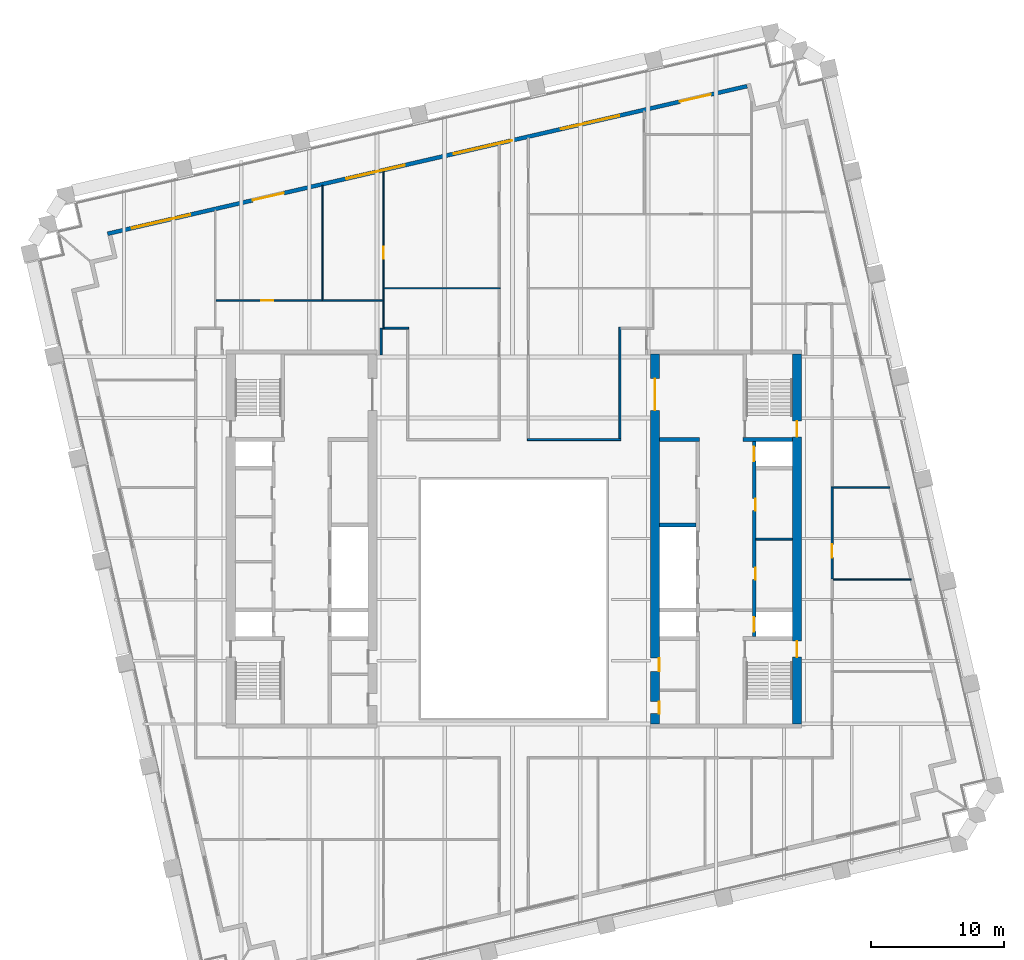
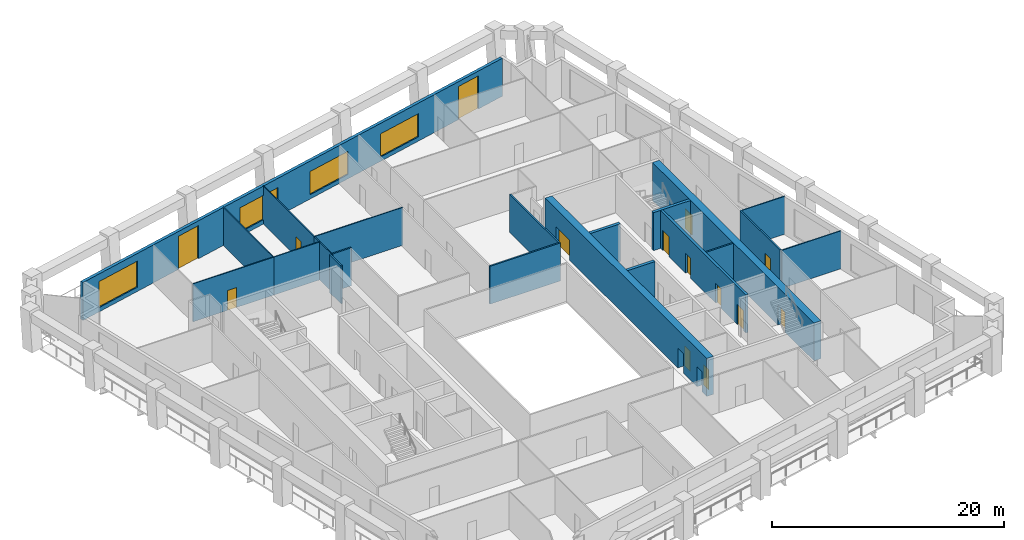
# One storey, part 7 of 11: 22 walls, 14 doors, 4 windows, 18 openings.
"""IFC4 building model written with IfcOpenShell, lengths in metres."""

from ifc_helpers import new_model, si_unit, direction, frame, frame_2d, origin, place, context, subcontext, project, spatial, rectangle, extrude, material, layer, layer_set, type_object, element, fill, save


model = new_model("IFC4")

# Units and contexts
model_context = context("Model", 3, precision=1e-05, world=origin(), true_north=direction((0.0, 1.0)))
body_context = subcontext(model_context, "Body", "Model", "MODEL_VIEW")
ifc_project = project(units=[si_unit("LENGTHUNIT", "METRE"), si_unit("AREAUNIT", "SQUARE_METRE"), si_unit("VOLUMEUNIT", "CUBIC_METRE"), si_unit("PLANEANGLEUNIT", "RADIAN"), si_unit("MASSUNIT", "GRAM", prefix="KILO")], contexts=[model_context])

# Site, building, storey
site_placement = place(None, origin())
site = spatial("IfcSite", under=ifc_project, at=site_placement, CompositionType="ELEMENT")
building_placement = place(site_placement, origin())
building = spatial("IfcBuilding", under=site, at=building_placement, Name="Ogive Exchange Tower", CompositionType="ELEMENT")
storey_placement = place(building_placement, frame((0.0, 0.0, 175.800048828125)))
storey = spatial("IfcBuildingStorey", under=building, at=storey_placement, Name="L38", CompositionType="ELEMENT", Elevation=175.800048828125)

# Walls
ifc_material_1 = material(Name="Gypsum board partition")
ifc_layer_1 = layer(ifc_material_1, 0.14990234375)
ifc_layer_set_1 = layer_set([ifc_layer_1], Name="Core room partition 150 gypsum")
wall_type_1 = type_object("IfcWallType", Name="Core room partition 150 gypsum", PredefinedType="PARTITIONING", material=ifc_layer_set_1)
wall_1_placement = place(storey_placement, frame((18.25, 11.5, 0.0), z_axis=(0.0, 0.0, 1.0), x_axis=(1.0, 0.0, 0.0)))
element("IfcWall", 1, at=wall_1_placement, inside=storey, type_object=wall_type_1, Name="E row A bay partition 1-1", PredefinedType="PARTITIONING", context=body_context, shape_type="SweptSolid", body=[
    extrude(rectangle(XDim=2.75, YDim=0.14990234375, at=frame_2d((1.375, 0.0))), origin(), (0.0, 0.0, 1.0), 4.0),
])
ifc_layer_2 = layer(ifc_material_1, 0.300048828125)
ifc_layer_set_2 = layer_set([ifc_layer_2], Name="Core room partition 300 gypsum")
wall_type_2 = type_object("IfcWallType", Name="Core room partition 300 gypsum", PredefinedType="PARTITIONING", material=ifc_layer_set_2)
wall_2_placement = place(storey_placement, frame((11.0, 19.0, 0.0), z_axis=(0.0, 0.0, 1.0), x_axis=(1.0, 0.0, 0.0)))
element("IfcWall", 2, at=wall_2_placement, inside=storey, type_object=wall_type_2, Name="E row B room end wall 7", PredefinedType="PARTITIONING", context=body_context, shape_type="SweptSolid", body=[
    extrude(rectangle(XDim=3.0, YDim=0.300048828125, at=frame_2d((1.5, 0.0))), origin(), (0.0, 0.0, 1.0), 4.0),
])
ifc_material_2 = material(Name="Fire partition EI 60 150")
ifc_layer_3 = layer(ifc_material_2, 0.14990234375)
ifc_layer_set_3 = layer_set([ifc_layer_3], Name="Fire partition EI 60 150")
wall_type_3 = type_object("IfcWallType", Name="Fire partition EI 60 150", PredefinedType="PARTITIONING", material=ifc_layer_set_3)
wall_3_placement = place(storey_placement, frame((-10.0, 25.39990234375, 0.0), z_axis=(0.0, 0.0, 1.0), x_axis=(0.0, 1.0, 0.0)))
element("IfcWall", 3, at=wall_3_placement, inside=storey, type_object=wall_type_3, Name="L38-PWL-019", PredefinedType="PARTITIONING", context=body_context, shape_type="SweptSolid", body=[
    extrude(rectangle(XDim=2.0, YDim=0.14990234375, at=frame_2d((1.0, 0.0))), origin(), (0.0, 0.0, 1.0), 4.0),
])
wall_4_placement = place(storey_placement, frame((-9.780029296875, 27.39990234375, 0.0), z_axis=(0.0, 0.0, 1.0), x_axis=(1.0, 0.0, 0.0)))
element("IfcWall", 4, at=wall_4_placement, inside=storey, type_object=wall_type_3, Name="L38-PWL-025", PredefinedType="PARTITIONING", context=body_context, shape_type="SweptSolid", body=[
    extrude(rectangle(XDim=1.85498046875, YDim=0.14990234375, at=frame_2d((0.927490234375, 0.0))), origin(), (0.0, 0.0, 1.0), 4.0),
])
wall_5_placement = place(storey_placement, frame((1.02490234375, 19.0, 0.0), z_axis=(0.0, 0.0, 1.0), x_axis=(1.0, 0.0, 0.0)))
element("IfcWall", 5, at=wall_5_placement, inside=storey, type_object=wall_type_3, Name="L38-PWL-037", PredefinedType="PARTITIONING", context=body_context, shape_type="SweptSolid", body=[
    extrude(rectangle(XDim=7.050048828125, YDim=0.14990234375, at=frame_2d((3.52490234375, 0.0))), origin(), (0.0, 0.0, 1.0), 4.0),
])
wall_6_placement = place(storey_placement, frame((8.0, 19.074951171875, 0.0), z_axis=(0.0, 0.0, 1.0), x_axis=(0.0, 1.0, 0.0)))
element("IfcWall", 6, at=wall_6_placement, inside=storey, type_object=wall_type_3, Name="L38-PWL-045", PredefinedType="PARTITIONING", context=body_context, shape_type="SweptSolid", body=[
    extrude(rectangle(XDim=8.400146484375, YDim=0.14990234375, at=frame_2d((4.2001953125, 0.0))), origin(), (0.0, 0.0, 1.0), 4.0),
])

# Wall, opening, door
wall_7_placement = place(storey_placement, frame((24.0, 15.429931640625, 0.0), z_axis=(0.0, 0.0, 1.0), x_axis=(0.0, -1.0, 0.0)))
wall_7 = element("IfcWall", 7, at=wall_7_placement, inside=storey, type_object=wall_type_3, Name="L38-PWL-079", PredefinedType="PARTITIONING", context=body_context, shape_type="SweptSolid", body=[
    extrude(rectangle(XDim=6.929931640625, YDim=0.14990234375, at=frame_2d((3.46484375, 0.0))), origin(), (0.0, 0.0, 1.0), 4.0),
])
opening_1_placement = place(wall_7_placement, frame((4.330078125, 0.0, 0.0)))
opening_1 = element("IfcOpeningElement", 8, at=opening_1_placement, cuts=wall_7, Name="Opening L38-I21", PredefinedType="OPENING", context=body_context, shape_type="SweptSolid", body=[
    extrude(rectangle(XDim=1.0, YDim=2.10009765625, at=frame_2d((0.5, 1.050048828125))), frame((0.0, 0.0849609375, 0.0), z_axis=(0.0, -1.0, 0.0), x_axis=(1.0, 0.0, 0.0)), (0.0, 0.0, 1.0), 0.169921875),
])
ifc_material_3 = material(Name="Fire door FD 30S 1000 x 2100")
door_type_1 = type_object("IfcDoorType", Name="Fire door FD 30S 1000 x 2100", OperationType="NOTDEFINED", PredefinedType="DOOR", material=ifc_material_3)
door_1_placement = place(opening_1_placement, origin())
door_1 = element("IfcDoor", 9, at=door_1_placement, inside=storey, type_object=door_type_1, Name="L38-IDR-021", ObjectType="DT3", OperationType="SINGLE_SWING_LEFT", OverallHeight=2.10009765625, OverallWidth=1.0, PredefinedType="DOOR", context=body_context, shape_type="SweptSolid", body=[
    extrude(rectangle(XDim=1.0, YDim=2.10009765625, at=frame_2d((0.5, 1.050048828125))), frame((0.0, 0.02490234375, 0.0), z_axis=(0.0, -1.0, 0.0), x_axis=(1.0, 0.0, 0.0)), (0.0, 0.0, 1.0), 0.050048828125),
])
fill(opening_1, door_1)

# Wall, openings, doors, windows
ifc_material_4 = material(Name="Precast concrete C40/50", Category="concrete")
ifc_layer_4 = layer(ifc_material_4, 0.300048828125)
ifc_layer_set_4 = layer_set([ifc_layer_4], Name="Limestone-faced wall 300")
wall_type_4 = type_object("IfcWallType", Name="Limestone-faced wall 300", PredefinedType="STANDARD", material=ifc_layer_set_4)
wall_8_placement = place(storey_placement, frame((17.592041015625, 45.6572265625, 0.0), z_axis=(0.0, 0.0, 1.0), x_axis=(-0.974370243697, -0.224950279389, 0.0)))
wall_8 = element("IfcWall", 10, at=wall_8_placement, inside=storey, type_object=wall_type_4, Name="External wall N3", PredefinedType="STANDARD", context=body_context, shape_type="SweptSolid", body=[
    extrude(rectangle(XDim=49.499755859375, YDim=0.300048828125, at=frame_2d((24.75, 0.0))), origin(), (0.0, 0.0, 1.0), 4.0),
])
opening_2_placement = place(wall_8_placement, frame((2.800048828125, 0.0, 0.0)))
opening_2 = element("IfcOpeningElement", 11, at=opening_2_placement, cuts=wall_8, Name="Opening D1", PredefinedType="OPENING", context=body_context, shape_type="SweptSolid", body=[
    extrude(rectangle(XDim=2.39990234375, YDim=3.5, at=frame_2d((1.199951171875, 1.75))), frame((0.0, 0.159912109375, 0.0), z_axis=(0.0, -1.0, 0.0), x_axis=(1.0, 0.0, 0.0)), (0.0, 0.0, 1.0), 0.320068359375),
])
opening_3_placement = place(wall_8_placement, frame((9.89990234375, 0.0, 0.449951171875)))
opening_3 = element("IfcOpeningElement", 12, at=opening_3_placement, cuts=wall_8, Name="Opening W1Q", PredefinedType="OPENING", context=body_context, shape_type="SweptSolid", body=[
    extrude(rectangle(XDim=4.5, YDim=2.449951171875, at=frame_2d((2.25, 1.22509765625))), frame((0.0, 0.159912109375, 0.0), z_axis=(0.0, -1.0, 0.0), x_axis=(1.0, 0.0, 0.0)), (0.0, 0.0, 1.0), 0.320068359375),
])
opening_4_placement = place(wall_8_placement, frame((18.199951171875, 0.0, 0.449951171875)))
opening_4 = element("IfcOpeningElement", 13, at=opening_4_placement, cuts=wall_8, Name="Opening W1Q", PredefinedType="OPENING", context=body_context, shape_type="SweptSolid", body=[
    extrude(rectangle(XDim=4.5, YDim=2.449951171875, at=frame_2d((2.25, 1.22509765625))), frame((0.0, 0.159912109375, 0.0), z_axis=(0.0, -1.0, 0.0), x_axis=(1.0, 0.0, 0.0)), (0.0, 0.0, 1.0), 0.320068359375),
])
opening_5_placement = place(wall_8_placement, frame((26.5, 0.0, 0.449951171875)))
opening_5 = element("IfcOpeningElement", 14, at=opening_5_placement, cuts=wall_8, Name="Opening W1M", PredefinedType="OPENING", context=body_context, shape_type="SweptSolid", body=[
    extrude(rectangle(XDim=4.5, YDim=2.574951171875, at=frame_2d((2.25, 1.28759765625))), frame((0.0, 0.159912109375, 0.0), z_axis=(0.0, -1.0, 0.0), x_axis=(1.0, 0.0, 0.0)), (0.0, 0.0, 1.0), 0.320068359375),
])
opening_6_placement = place(wall_8_placement, frame((35.85009765625, 0.0, 0.0)))
opening_6 = element("IfcOpeningElement", 15, at=opening_6_placement, cuts=wall_8, Name="Opening D1", PredefinedType="OPENING", context=body_context, shape_type="SweptSolid", body=[
    extrude(rectangle(XDim=2.39990234375, YDim=3.5, at=frame_2d((1.199951171875, 1.75))), frame((0.0, 0.159912109375, 0.0), z_axis=(0.0, -1.0, 0.0), x_axis=(1.0, 0.0, 0.0)), (0.0, 0.0, 1.0), 0.320068359375),
])
opening_7_placement = place(wall_8_placement, frame((43.10009765625, 0.0, 0.449951171875)))
opening_7 = element("IfcOpeningElement", 16, at=opening_7_placement, cuts=wall_8, Name="Opening W1H", PredefinedType="OPENING", context=body_context, shape_type="SweptSolid", body=[
    extrude(rectangle(XDim=4.5, YDim=2.75, at=frame_2d((2.25, 1.375))), frame((0.0, 0.159912109375, 0.0), z_axis=(0.0, -1.0, 0.0), x_axis=(1.0, 0.0, 0.0)), (0.0, 0.0, 1.0), 0.320068359375),
])
ifc_material_5 = material(Name="Clear glass in bronze frame", Category="glass")
door_type_2 = type_object("IfcDoorType", Name="Sliding loggia door 2400 x 3500", OperationType="DOUBLE_DOOR_SLIDING", PredefinedType="DOOR", material=ifc_material_5)
door_2_placement = place(opening_2_placement, origin())
door_2 = element("IfcDoor", 17, at=door_2_placement, inside=storey, type_object=door_type_2, Name="Loggia door N00", OperationType="DOUBLE_DOOR_SLIDING", OverallHeight=3.5, OverallWidth=2.39990234375, PredefinedType="DOOR", context=body_context, shape_type="SweptSolid", body=[
    extrude(rectangle(XDim=2.39990234375, YDim=3.5, at=frame_2d((1.199951171875, 1.75))), frame((0.0, 0.02490234375, 0.0), z_axis=(0.0, -1.0, 0.0), x_axis=(1.0, 0.0, 0.0)), (0.0, 0.0, 1.0), 0.050048828125),
])
fill(opening_2, door_2)
door_3_placement = place(opening_6_placement, origin())
door_3 = element("IfcDoor", 18, at=door_3_placement, inside=storey, type_object=door_type_2, Name="Loggia door N04", OperationType="DOUBLE_DOOR_SLIDING", OverallHeight=3.5, OverallWidth=2.39990234375, PredefinedType="DOOR", context=body_context, shape_type="SweptSolid", body=[
    extrude(rectangle(XDim=2.39990234375, YDim=3.5, at=frame_2d((1.199951171875, 1.75))), frame((0.0, 0.02490234375, 0.0), z_axis=(0.0, -1.0, 0.0), x_axis=(1.0, 0.0, 0.0)), (0.0, 0.0, 1.0), 0.050048828125),
])
fill(opening_6, door_3)
window_type_1 = type_object("IfcWindowType", Name="Twin lancet window 4500 x 2450", PartitioningType="DOUBLE_PANEL_VERTICAL", PredefinedType="WINDOW", material=ifc_material_5)
window_1_placement = place(opening_3_placement, origin())
window_1 = element("IfcWindow", 19, at=window_1_placement, inside=storey, type_object=window_type_1, Name="Window N01", OverallHeight=2.449951171875, OverallWidth=4.5, PartitioningType="DOUBLE_PANEL_VERTICAL", PredefinedType="WINDOW", context=body_context, shape_type="SweptSolid", body=[
    extrude(rectangle(XDim=4.5, YDim=2.449951171875, at=frame_2d((2.25, 1.22509765625))), frame((0.0, 0.030029296875, 0.0), z_axis=(0.0, -1.0, 0.0), x_axis=(1.0, 0.0, 0.0)), (0.0, 0.0, 1.0), 0.06005859375),
])
fill(opening_3, window_1)
window_2_placement = place(opening_4_placement, origin())
window_2 = element("IfcWindow", 20, at=window_2_placement, inside=storey, type_object=window_type_1, Name="Window N02", OverallHeight=2.449951171875, OverallWidth=4.5, PartitioningType="DOUBLE_PANEL_VERTICAL", PredefinedType="WINDOW", context=body_context, shape_type="SweptSolid", body=[
    extrude(rectangle(XDim=4.5, YDim=2.449951171875, at=frame_2d((2.25, 1.22509765625))), frame((0.0, 0.030029296875, 0.0), z_axis=(0.0, -1.0, 0.0), x_axis=(1.0, 0.0, 0.0)), (0.0, 0.0, 1.0), 0.06005859375),
])
fill(opening_4, window_2)
window_type_2 = type_object("IfcWindowType", Name="Twin lancet window 4500 x 2575", PartitioningType="DOUBLE_PANEL_VERTICAL", PredefinedType="WINDOW", material=ifc_material_5)
window_3_placement = place(opening_5_placement, origin())
window_3 = element("IfcWindow", 21, at=window_3_placement, inside=storey, type_object=window_type_2, Name="Window N03", OverallHeight=2.574951171875, OverallWidth=4.5, PartitioningType="DOUBLE_PANEL_VERTICAL", PredefinedType="WINDOW", context=body_context, shape_type="SweptSolid", body=[
    extrude(rectangle(XDim=4.5, YDim=2.574951171875, at=frame_2d((2.25, 1.28759765625))), frame((0.0, 0.030029296875, 0.0), z_axis=(0.0, -1.0, 0.0), x_axis=(1.0, 0.0, 0.0)), (0.0, 0.0, 1.0), 0.06005859375),
])
fill(opening_5, window_3)
window_type_3 = type_object("IfcWindowType", Name="Twin lancet window 4500 x 2750", PartitioningType="DOUBLE_PANEL_VERTICAL", PredefinedType="WINDOW", material=ifc_material_5)
window_4_placement = place(opening_7_placement, origin())
window_4 = element("IfcWindow", 22, at=window_4_placement, inside=storey, type_object=window_type_3, Name="Window N05", OverallHeight=2.75, OverallWidth=4.5, PartitioningType="DOUBLE_PANEL_VERTICAL", PredefinedType="WINDOW", context=body_context, shape_type="SweptSolid", body=[
    extrude(rectangle(XDim=4.5, YDim=2.75, at=frame_2d((2.25, 1.375))), frame((0.0, 0.030029296875, 0.0), z_axis=(0.0, -1.0, 0.0), x_axis=(1.0, 0.0, 0.0)), (0.0, 0.0, 1.0), 0.06005859375),
])
fill(opening_7, window_4)

# Wall, opening, door
ifc_material_6 = material(Name="Partition 100 gypsum")
ifc_layer_5 = layer(ifc_material_6, 0.10009765625)
ifc_layer_set_5 = layer_set([ifc_layer_5], Name="Partition 100 gypsum")
wall_type_5 = type_object("IfcWallType", Name="Partition 100 gypsum", PredefinedType="PARTITIONING", material=ifc_layer_set_5)
wall_9_placement = place(storey_placement, frame((-22.469970703125, 29.5, 0.0), z_axis=(0.0, 0.0, 1.0), x_axis=(1.0, 0.0, 0.0)))
wall_9 = element("IfcWall", 23, at=wall_9_placement, inside=storey, type_object=wall_type_5, Name="L38-PWL-012", PredefinedType="PARTITIONING", context=body_context, shape_type="SweptSolid", body=[
    extrude(rectangle(XDim=8.090087890625, YDim=0.10009765625, at=frame_2d((4.044921875, 0.0))), origin(), (0.0, 0.0, 1.0), 4.0),
])
opening_8_placement = place(wall_9_placement, frame((3.43994140625, 0.0, 0.0)))
opening_8 = element("IfcOpeningElement", 24, at=opening_8_placement, cuts=wall_9, Name="Opening L38-I07", PredefinedType="OPENING", context=body_context, shape_type="SweptSolid", body=[
    extrude(rectangle(XDim=0.89990234375, YDim=2.10009765625, at=frame_2d((0.449951171875, 1.050048828125))), frame((0.0, 0.06005859375, 0.0), z_axis=(0.0, -1.0, 0.0), x_axis=(1.0, 0.0, 0.0)), (0.0, 0.0, 1.0), 0.1201171875),
])
ifc_material_7 = material(Name="Door 900 x 2100")
door_type_3 = type_object("IfcDoorType", Name="Door 900 x 2100", OperationType="NOTDEFINED", PredefinedType="DOOR", material=ifc_material_7)
door_4_placement = place(opening_8_placement, frame((0.89990234375, 0.0, 0.0), z_axis=(0.0, 0.0, 1.0), x_axis=(-1.0, 0.0, 0.0)))
door_4 = element("IfcDoor", 25, at=door_4_placement, inside=storey, type_object=door_type_3, Name="L38-IDR-007", ObjectType="DT1", OperationType="SINGLE_SWING_LEFT", OverallHeight=2.10009765625, OverallWidth=0.89990234375, PredefinedType="DOOR", context=body_context, shape_type="SweptSolid", body=[
    extrude(rectangle(XDim=0.89990234375, YDim=2.10009765625, at=frame_2d((0.449951171875, 1.050048828125))), frame((0.0, 0.02490234375, 0.0), z_axis=(0.0, -1.0, 0.0), x_axis=(1.0, 0.0, 0.0)), (0.0, 0.0, 1.0), 0.050048828125),
])
fill(opening_8, door_4)

# Walls
wall_10_placement = place(storey_placement, frame((-14.429931640625, 29.550048828125, 0.0), z_axis=(0.0, 0.0, 1.0), x_axis=(0.0, 1.0, 0.0)))
element("IfcWall", 26, at=wall_10_placement, inside=storey, type_object=wall_type_5, Name="L38-PWL-016", PredefinedType="PARTITIONING", context=body_context, shape_type="SweptSolid", body=[
    extrude(rectangle(XDim=8.64306640625, YDim=0.10009765625, at=frame_2d((4.321533203125, 0.0))), origin(), (0.0, 0.0, 1.0), 4.0),
])
wall_11_placement = place(storey_placement, frame((-14.429931640625, 29.5, 0.0), z_axis=(0.0, 0.0, 1.0), x_axis=(1.0, 0.0, 0.0)))
element("IfcWall", 27, at=wall_11_placement, inside=storey, type_object=wall_type_5, Name="L38-PWL-017", PredefinedType="PARTITIONING", context=body_context, shape_type="SweptSolid", body=[
    extrude(rectangle(XDim=4.64990234375, YDim=0.10009765625, at=frame_2d((2.324951171875, 0.0))), origin(), (0.0, 0.0, 1.0), 4.0),
])
wall_12_placement = place(storey_placement, frame((-9.830078125, 27.324951171875, 0.0), z_axis=(0.0, 0.0, 1.0), x_axis=(0.0, 1.0, 0.0)))
element("IfcWall", 28, at=wall_12_placement, inside=storey, type_object=wall_type_5, Name="L38-PWL-024", PredefinedType="PARTITIONING", context=body_context, shape_type="SweptSolid", body=[
    extrude(rectangle(XDim=2.125, YDim=0.10009765625, at=frame_2d((1.0625, 0.0))), origin(), (0.0, 0.0, 1.0), 4.0),
])
wall_13_placement = place(storey_placement, frame((-9.830078125, 29.550048828125, 0.0), z_axis=(0.0, 0.0, 1.0), x_axis=(0.0, 1.0, 0.0)))
element("IfcWall", 29, at=wall_13_placement, inside=storey, type_object=wall_type_5, Name="L38-PWL-026", PredefinedType="PARTITIONING", context=body_context, shape_type="SweptSolid", body=[
    extrude(rectangle(XDim=0.820068359375, YDim=0.10009765625, at=frame_2d((0.41015625, 0.0))), origin(), (0.0, 0.0, 1.0), 4.0),
])

# Wall, opening, door
wall_14_placement = place(storey_placement, frame((-9.830078125, 30.3701171875, 0.0), z_axis=(0.0, 0.0, 1.0), x_axis=(0.0, 1.0, 0.0)))
wall_14 = element("IfcWall", 30, at=wall_14_placement, inside=storey, type_object=wall_type_5, Name="L38-PWL-027", PredefinedType="PARTITIONING", context=body_context, shape_type="SweptSolid", body=[
    extrude(rectangle(XDim=8.884765625, YDim=0.10009765625, at=frame_2d((4.4423828125, 0.0))), origin(), (0.0, 0.0, 1.0), 4.0),
])
opening_9_placement = place(wall_14_placement, frame((2.260009765625, 0.0, 0.0)))
opening_9 = element("IfcOpeningElement", 31, at=opening_9_placement, cuts=wall_14, Name="Opening L38-I06", PredefinedType="OPENING", context=body_context, shape_type="SweptSolid", body=[
    extrude(rectangle(XDim=0.89990234375, YDim=2.10009765625, at=frame_2d((0.449951171875, 1.050048828125))), frame((0.0, 0.06005859375, 0.0), z_axis=(0.0, -1.0, 0.0), x_axis=(1.0, 0.0, 0.0)), (0.0, 0.0, 1.0), 0.1201171875),
])
door_5_placement = place(opening_9_placement, origin())
door_5 = element("IfcDoor", 32, at=door_5_placement, inside=storey, type_object=door_type_3, Name="L38-IDR-006", ObjectType="DT1", OperationType="SINGLE_SWING_RIGHT", OverallHeight=2.10009765625, OverallWidth=0.89990234375, PredefinedType="DOOR", context=body_context, shape_type="SweptSolid", body=[
    extrude(rectangle(XDim=0.89990234375, YDim=2.10009765625, at=frame_2d((0.449951171875, 1.050048828125))), frame((0.0, 0.02490234375, 0.0), z_axis=(0.0, -1.0, 0.0), x_axis=(1.0, 0.0, 0.0)), (0.0, 0.0, 1.0), 0.050048828125),
])
fill(opening_9, door_5)

# Walls
wall_15_placement = place(storey_placement, frame((-9.780029296875, 30.419921875, 0.0), z_axis=(0.0, 0.0, 1.0), x_axis=(1.0, 0.0, 0.0)))
element("IfcWall", 33, at=wall_15_placement, inside=storey, type_object=wall_type_5, Name="L38-PWL-028", PredefinedType="PARTITIONING", context=body_context, shape_type="SweptSolid", body=[
    extrude(rectangle(XDim=8.755126953125, YDim=0.10009765625, at=frame_2d((4.37744140625, 0.0))), origin(), (0.0, 0.0, 1.0), 4.0),
])
wall_16_placement = place(storey_placement, frame((24.074951171875, 8.449951171875, 0.0), z_axis=(0.0, 0.0, 1.0), x_axis=(1.0, 0.0, 0.0)))
element("IfcWall", 34, at=wall_16_placement, inside=storey, type_object=wall_type_5, Name="L38-PWL-078", PredefinedType="PARTITIONING", context=body_context, shape_type="SweptSolid", body=[
    extrude(rectangle(XDim=5.884033203125, YDim=0.10009765625, at=frame_2d((2.94189453125, 0.0))), origin(), (0.0, 0.0, 1.0), 4.0),
])
wall_17_placement = place(storey_placement, frame((24.074951171875, 15.3798828125, 0.0), z_axis=(0.0, 0.0, 1.0), x_axis=(1.0, 0.0, 0.0)))
element("IfcWall", 35, at=wall_17_placement, inside=storey, type_object=wall_type_5, Name="L38-PWL-080", PredefinedType="PARTITIONING", context=body_context, shape_type="SweptSolid", body=[
    extrude(rectangle(XDim=4.28515625, YDim=0.10009765625, at=frame_2d((2.142578125, 0.0))), origin(), (0.0, 0.0, 1.0), 4.0),
])

# Wall, openings, doors
ifc_material_8 = material(Name="Concrete C70/85", Category="concrete")
ifc_layer_6 = layer(ifc_material_8, 0.25)
ifc_layer_set_6 = layer_set([ifc_layer_6], Name="RC core wall 250 C70/85")
wall_type_6 = type_object("IfcWallType", Name="RC core wall 250 C70/85", PredefinedType="SHEAR", material=ifc_layer_set_6)
wall_18_placement = place(storey_placement, frame((18.125, 4.14990234375, 0.0), z_axis=(0.0, 0.0, 1.0), x_axis=(0.0, 1.0, 0.0)))
wall_18 = element("IfcWall", 36, at=wall_18_placement, inside=storey, type_object=wall_type_6, Name="E row A front wall", PredefinedType="SHEAR", context=body_context, shape_type="SweptSolid", body=[
    extrude(rectangle(XDim=14.7001953125, YDim=0.25, at=frame_2d((7.35009765625, 0.0))), origin(), (0.0, 0.0, 1.0), 4.0),
])
opening_10_placement = place(wall_18_placement, frame((4.29638671875, 0.0, 0.0)))
opening_10 = element("IfcOpeningElement", 37, at=opening_10_placement, cuts=wall_18, Name="Opening L38-C19", PredefinedType="OPENING", context=body_context, shape_type="SweptSolid", body=[
    extrude(rectangle(XDim=0.89990234375, YDim=2.10009765625, at=frame_2d((0.449951171875, 1.050048828125))), frame((0.0, 0.135009765625, 0.0), z_axis=(0.0, -1.0, 0.0), x_axis=(1.0, 0.0, 0.0)), (0.0, 0.0, 1.0), 0.27001953125),
])
opening_11_placement = place(wall_18_placement, frame((9.503662109375, 0.0, 0.0)))
opening_11 = element("IfcOpeningElement", 38, at=opening_11_placement, cuts=wall_18, Name="Opening L38-C20", PredefinedType="OPENING", context=body_context, shape_type="SweptSolid", body=[
    extrude(rectangle(XDim=0.89990234375, YDim=2.10009765625, at=frame_2d((0.449951171875, 1.050048828125))), frame((0.0, 0.135009765625, 0.0), z_axis=(0.0, -1.0, 0.0), x_axis=(1.0, 0.0, 0.0)), (0.0, 0.0, 1.0), 0.27001953125),
])
opening_12_placement = place(wall_18_placement, frame((0.371337890625, 0.0, 0.0)))
opening_12 = element("IfcOpeningElement", 39, at=opening_12_placement, cuts=wall_18, Name="Opening L38-C21", PredefinedType="OPENING", context=body_context, shape_type="SweptSolid", body=[
    extrude(rectangle(XDim=1.10009765625, YDim=2.10009765625, at=frame_2d((0.550048828125, 1.050048828125))), frame((0.0, 0.135009765625, 0.0), z_axis=(0.0, -1.0, 0.0), x_axis=(1.0, 0.0, 0.0)), (0.0, 0.0, 1.0), 0.27001953125),
])
opening_13_placement = place(wall_18_placement, frame((13.228515625, 0.0, 0.0)))
opening_13 = element("IfcOpeningElement", 40, at=opening_13_placement, cuts=wall_18, Name="Opening L38-C22", PredefinedType="OPENING", context=body_context, shape_type="SweptSolid", body=[
    extrude(rectangle(XDim=1.10009765625, YDim=2.10009765625, at=frame_2d((0.550048828125, 1.050048828125))), frame((0.0, 0.135009765625, 0.0), z_axis=(0.0, -1.0, 0.0), x_axis=(1.0, 0.0, 0.0)), (0.0, 0.0, 1.0), 0.27001953125),
])
ifc_material_9 = material(Name="Stainless steel", Category="steel")
door_type_4 = type_object("IfcDoorType", Name="Lift landing door FD90 1100 x 2100", OperationType="SLIDING_TO_LEFT", PredefinedType="DOOR", material=ifc_material_9)
door_6_placement = place(opening_12_placement, origin())
door_6 = element("IfcDoor", 41, at=door_6_placement, inside=storey, type_object=door_type_4, Name="Lift landing door FF2", ObjectType="LD", OperationType="SLIDING_TO_LEFT", OverallHeight=2.10009765625, OverallWidth=1.10009765625, PredefinedType="DOOR", context=body_context, shape_type="SweptSolid", body=[
    extrude(rectangle(XDim=1.10009765625, YDim=2.10009765625, at=frame_2d((0.550048828125, 1.050048828125))), frame((0.0, 0.02490234375, 0.0), z_axis=(0.0, -1.0, 0.0), x_axis=(1.0, 0.0, 0.0)), (0.0, 0.0, 1.0), 0.050048828125),
])
fill(opening_12, door_6)
door_7_placement = place(opening_13_placement, origin())
door_7 = element("IfcDoor", 42, at=door_7_placement, inside=storey, type_object=door_type_4, Name="Lift landing door E-SH2", ObjectType="LD", OperationType="SLIDING_TO_LEFT", OverallHeight=2.10009765625, OverallWidth=1.10009765625, PredefinedType="DOOR", context=body_context, shape_type="SweptSolid", body=[
    extrude(rectangle(XDim=1.10009765625, YDim=2.10009765625, at=frame_2d((0.550048828125, 1.050048828125))), frame((0.0, 0.02490234375, 0.0), z_axis=(0.0, -1.0, 0.0), x_axis=(1.0, 0.0, 0.0)), (0.0, 0.0, 1.0), 0.050048828125),
])
fill(opening_13, door_7)
ifc_material_10 = material(Name="Steel fire door", Category="steel")
door_type_5 = type_object("IfcDoorType", Name="Riser door FD60 900 x 2100", OperationType="NOTDEFINED", PredefinedType="DOOR", material=ifc_material_10)
door_8_placement = place(opening_10_placement, frame((0.89990234375, -0.2001953125, 0.0), z_axis=(0.0, 0.0, 1.0), x_axis=(-1.0, 0.0, 0.0)))
door_8 = element("IfcDoor", 43, at=door_8_placement, inside=storey, type_object=door_type_5, Name="Riser door", ObjectType="CD2", OperationType="SINGLE_SWING_RIGHT", OverallHeight=2.10009765625, OverallWidth=0.89990234375, PredefinedType="DOOR", context=body_context, shape_type="SweptSolid", body=[
    extrude(rectangle(XDim=0.89990234375, YDim=2.10009765625, at=frame_2d((0.449951171875, 1.050048828125))), frame((0.0, -0.0751953125, 0.0), z_axis=(0.0, -1.0, 0.0), x_axis=(1.0, 0.0, 0.0)), (0.0, 0.0, 1.0), 0.050048828125),
])
fill(opening_10, door_8)
door_9_placement = place(opening_11_placement, frame((0.89990234375, -0.2001953125, 0.0), z_axis=(0.0, 0.0, 1.0), x_axis=(-1.0, 0.0, 0.0)))
door_9 = element("IfcDoor", 44, at=door_9_placement, inside=storey, type_object=door_type_5, Name="Riser door", ObjectType="CD2", OperationType="SINGLE_SWING_LEFT", OverallHeight=2.10009765625, OverallWidth=0.89990234375, PredefinedType="DOOR", context=body_context, shape_type="SweptSolid", body=[
    extrude(rectangle(XDim=0.89990234375, YDim=2.10009765625, at=frame_2d((0.449951171875, 1.050048828125))), frame((0.0, -0.0751953125, 0.0), z_axis=(0.0, -1.0, 0.0), x_axis=(1.0, 0.0, 0.0)), (0.0, 0.0, 1.0), 0.050048828125),
])
fill(opening_11, door_9)

# Walls
ifc_layer_7 = layer(ifc_material_8, 0.300048828125)
ifc_layer_set_7 = layer_set([ifc_layer_7], Name="RC core wall 300 C70/85")
wall_type_7 = type_object("IfcWallType", Name="RC core wall 300 C70/85", PredefinedType="SHEAR", material=ifc_layer_set_7)
wall_19_placement = place(storey_placement, frame((17.300048828125, 19.0, 0.0), z_axis=(0.0, 0.0, 1.0), x_axis=(1.0, 0.0, 0.0)))
element("IfcWall", 45, at=wall_19_placement, inside=storey, type_object=wall_type_7, Name="E stair N south wall", PredefinedType="SHEAR", context=body_context, shape_type="SweptSolid", body=[
    extrude(rectangle(XDim=3.699951171875, YDim=0.300048828125, at=frame_2d((1.85009765625, 0.0))), origin(), (0.0, 0.0, 1.0), 4.0),
])
wall_20_placement = place(storey_placement, frame((11.0, 12.5712890625, 0.0), z_axis=(0.0, 0.0, 1.0), x_axis=(1.0, 0.0, 0.0)))
element("IfcWall", 46, at=wall_20_placement, inside=storey, type_object=wall_type_7, Name="E row B divider 4", PredefinedType="SHEAR", context=body_context, shape_type="SweptSolid", body=[
    extrude(rectangle(XDim=2.75, YDim=0.300048828125, at=frame_2d((1.375, 0.0))), origin(), (0.0, 0.0, 1.0), 4.0),
])

# Wall, openings, doors
ifc_layer_8 = layer(ifc_material_8, 0.699951171875)
ifc_layer_set_8 = layer_set([ifc_layer_8], Name="RC core wall 700 C70/85")
wall_type_8 = type_object("IfcWallType", Name="RC core wall 700 C70/85", PredefinedType="SHEAR", material=ifc_layer_set_8)
wall_21_placement = place(storey_placement, frame((21.35009765625, -2.449951171875, 0.0), z_axis=(0.0, 0.0, 1.0), x_axis=(0.0, 1.0, 0.0)))
wall_21 = element("IfcWall", 47, at=wall_21_placement, inside=storey, type_object=wall_type_8, Name="E outer wall", PredefinedType="SHEAR", context=body_context, shape_type="SweptSolid", body=[
    extrude(rectangle(XDim=27.89990234375, YDim=0.699951171875, at=frame_2d((13.949951171875, 0.0))), origin(), (0.0, 0.0, 1.0), 4.0),
])
opening_14_placement = place(wall_21_placement, frame((5.050048828125, 0.0, 0.0)))
opening_14 = element("IfcOpeningElement", 48, at=opening_14_placement, cuts=wall_21, Name="Opening L38-C31", PredefinedType="OPENING", context=body_context, shape_type="SweptSolid", body=[
    extrude(rectangle(XDim=1.199951171875, YDim=2.10009765625, at=frame_2d((0.60009765625, 1.050048828125))), frame((0.0, 0.35986328125, 0.0), z_axis=(0.0, -1.0, 0.0), x_axis=(1.0, 0.0, 0.0)), (0.0, 0.0, 1.0), 0.719970703125),
])
opening_15_placement = place(wall_21_placement, frame((21.64990234375, 0.0, 0.0)))
opening_15 = element("IfcOpeningElement", 49, at=opening_15_placement, cuts=wall_21, Name="Opening L38-C33", PredefinedType="OPENING", context=body_context, shape_type="SweptSolid", body=[
    extrude(rectangle(XDim=1.199951171875, YDim=2.10009765625, at=frame_2d((0.60009765625, 1.050048828125))), frame((0.0, 0.35986328125, 0.0), z_axis=(0.0, -1.0, 0.0), x_axis=(1.0, 0.0, 0.0)), (0.0, 0.0, 1.0), 0.719970703125),
])
door_type_6 = type_object("IfcDoorType", Name="Stair door FD90 1200 x 2100", OperationType="NOTDEFINED", PredefinedType="DOOR", material=ifc_material_10)
door_10_placement = place(opening_14_placement, origin())
door_10 = element("IfcDoor", 50, at=door_10_placement, inside=storey, type_object=door_type_6, Name="Stair door", ObjectType="CD5", OperationType="SINGLE_SWING_LEFT", OverallHeight=2.10009765625, OverallWidth=1.199951171875, PredefinedType="DOOR", context=body_context, shape_type="SweptSolid", body=[
    extrude(rectangle(XDim=1.199951171875, YDim=2.10009765625, at=frame_2d((0.60009765625, 1.050048828125))), frame((0.0, 0.02490234375, 0.0), z_axis=(0.0, -1.0, 0.0), x_axis=(1.0, 0.0, 0.0)), (0.0, 0.0, 1.0), 0.050048828125),
])
fill(opening_14, door_10)
door_11_placement = place(opening_15_placement, origin())
door_11 = element("IfcDoor", 51, at=door_11_placement, inside=storey, type_object=door_type_6, Name="Stair door", ObjectType="CD5", OperationType="SINGLE_SWING_RIGHT", OverallHeight=2.10009765625, OverallWidth=1.199951171875, PredefinedType="DOOR", context=body_context, shape_type="SweptSolid", body=[
    extrude(rectangle(XDim=1.199951171875, YDim=2.10009765625, at=frame_2d((0.60009765625, 1.050048828125))), frame((0.0, 0.02490234375, 0.0), z_axis=(0.0, -1.0, 0.0), x_axis=(1.0, 0.0, 0.0)), (0.0, 0.0, 1.0), 0.050048828125),
])
fill(opening_15, door_11)

wall_22_placement = place(storey_placement, frame((10.64990234375, -2.449951171875, 0.0), z_axis=(0.0, 0.0, 1.0), x_axis=(0.0, 1.0, 0.0)))
wall_22 = element("IfcWall", 52, at=wall_22_placement, inside=storey, type_object=wall_type_8, Name="E inner wall", PredefinedType="SHEAR", context=body_context, shape_type="SweptSolid", body=[
    extrude(rectangle(XDim=27.89990234375, YDim=0.699951171875, at=frame_2d((13.949951171875, 0.0))), origin(), (0.0, 0.0, 1.0), 4.0),
])
opening_16_placement = place(wall_22_placement, frame((23.64990234375, 0.0, 0.0)))
opening_16 = element("IfcOpeningElement", 53, at=opening_16_placement, cuts=wall_22, Name="Opening L38-C29", PredefinedType="OPENING", context=body_context, shape_type="SweptSolid", body=[
    extrude(rectangle(XDim=2.39990234375, YDim=2.10009765625, at=frame_2d((1.199951171875, 1.050048828125))), frame((0.0, 0.35986328125, 0.0), z_axis=(0.0, -1.0, 0.0), x_axis=(1.0, 0.0, 0.0)), (0.0, 0.0, 1.0), 0.719970703125),
])
opening_17_placement = place(wall_22_placement, frame((0.78759765625, 0.0, 0.0)))
opening_17 = element("IfcOpeningElement", 54, at=opening_17_placement, cuts=wall_22, Name="Opening L38-C34", PredefinedType="OPENING", context=body_context, shape_type="SweptSolid", body=[
    extrude(rectangle(XDim=0.89990234375, YDim=2.10009765625, at=frame_2d((0.449951171875, 1.050048828125))), frame((0.0, 0.35986328125, 0.0), z_axis=(0.0, -1.0, 0.0), x_axis=(1.0, 0.0, 0.0)), (0.0, 0.0, 1.0), 0.719970703125),
])
opening_18_placement = place(wall_22_placement, frame((3.96240234375, 0.0, 0.0)))
opening_18 = element("IfcOpeningElement", 55, at=opening_18_placement, cuts=wall_22, Name="Opening L38-C35", PredefinedType="OPENING", context=body_context, shape_type="SweptSolid", body=[
    extrude(rectangle(XDim=1.0, YDim=2.10009765625, at=frame_2d((0.5, 1.050048828125))), frame((0.0, 0.35986328125, 0.0), z_axis=(0.0, -1.0, 0.0), x_axis=(1.0, 0.0, 0.0)), (0.0, 0.0, 1.0), 0.719970703125),
])
ifc_material_11 = material(Name="Timber fire door", Category="wood")
door_type_7 = type_object("IfcDoorType", Name="Accessible WC door FD30S 1000 x 2100", OperationType="NOTDEFINED", PredefinedType="DOOR", material=ifc_material_11)
door_12_placement = place(opening_18_placement, frame((1.0, -0.64990234375, 0.0), z_axis=(0.0, 0.0, 1.0), x_axis=(-1.0, 0.0, 0.0)))
door_12 = element("IfcDoor", 56, at=door_12_placement, inside=storey, type_object=door_type_7, Name="Accessible WC door", ObjectType="CD7", OperationType="SINGLE_SWING_LEFT", OverallHeight=2.10009765625, OverallWidth=1.0, PredefinedType="DOOR", context=body_context, shape_type="SweptSolid", body=[
    extrude(rectangle(XDim=1.0, YDim=2.10009765625, at=frame_2d((0.5, 1.050048828125))), frame((0.0, -0.2998046875, 0.0), z_axis=(0.0, -1.0, 0.0), x_axis=(1.0, 0.0, 0.0)), (0.0, 0.0, 1.0), 0.050048828125),
])
fill(opening_18, door_12)
door_type_8 = type_object("IfcDoorType", Name="Core room door FD30S 900 x 2100", OperationType="NOTDEFINED", PredefinedType="DOOR", material=ifc_material_11)
door_13_placement = place(opening_17_placement, frame((0.89990234375, -0.64990234375, 0.0), z_axis=(0.0, 0.0, 1.0), x_axis=(-1.0, 0.0, 0.0)))
door_13 = element("IfcDoor", 57, at=door_13_placement, inside=storey, type_object=door_type_8, Name="Core room door", ObjectType="CD6", OperationType="SINGLE_SWING_LEFT", OverallHeight=2.10009765625, OverallWidth=0.89990234375, PredefinedType="DOOR", context=body_context, shape_type="SweptSolid", body=[
    extrude(rectangle(XDim=0.89990234375, YDim=2.10009765625, at=frame_2d((0.449951171875, 1.050048828125))), frame((0.0, -0.2998046875, 0.0), z_axis=(0.0, -1.0, 0.0), x_axis=(1.0, 0.0, 0.0)), (0.0, 0.0, 1.0), 0.050048828125),
])
fill(opening_17, door_13)
ifc_material_12 = material(Name="Glazed steel fire door", Category="steel")
door_type_9 = type_object("IfcDoorType", Name="Lift lobby double door FD60 2400 x 2100", OperationType="DOUBLE_DOOR_SINGLE_SWING", PredefinedType="DOOR", material=ifc_material_12)
door_14_placement = place(opening_16_placement, origin())
door_14 = element("IfcDoor", 58, at=door_14_placement, inside=storey, type_object=door_type_9, Name="Lift lobby double door", ObjectType="CD4", OperationType="DOUBLE_DOOR_SINGLE_SWING", OverallHeight=2.10009765625, OverallWidth=2.39990234375, PredefinedType="DOOR", context=body_context, shape_type="SweptSolid", body=[
    extrude(rectangle(XDim=2.39990234375, YDim=2.10009765625, at=frame_2d((1.199951171875, 1.050048828125))), frame((0.0, 0.02490234375, 0.0), z_axis=(0.0, -1.0, 0.0), x_axis=(1.0, 0.0, 0.0)), (0.0, 0.0, 1.0), 0.050048828125),
])
fill(opening_16, door_14)

save(model, "model.ifc")
